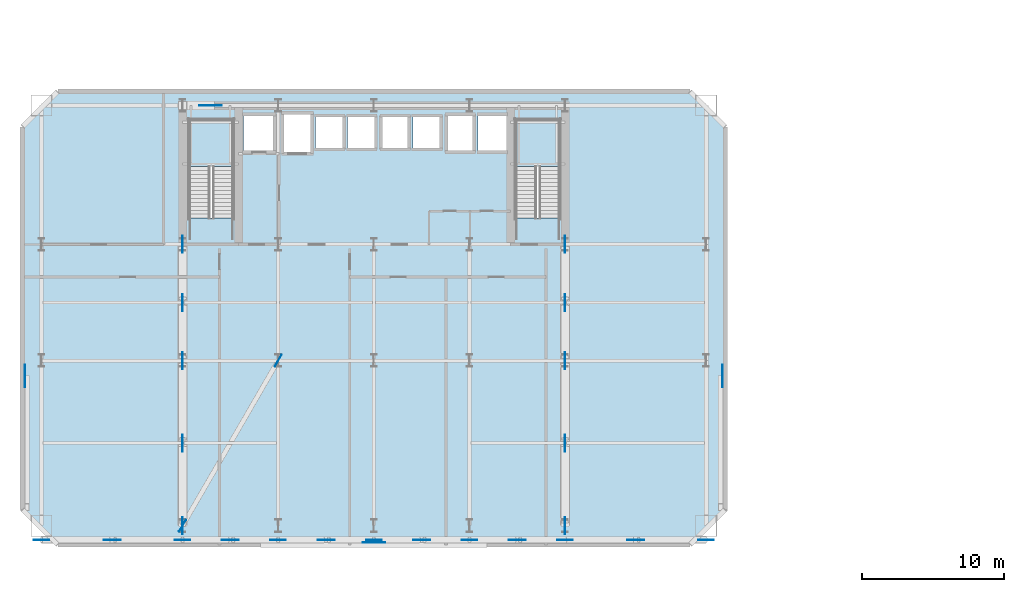
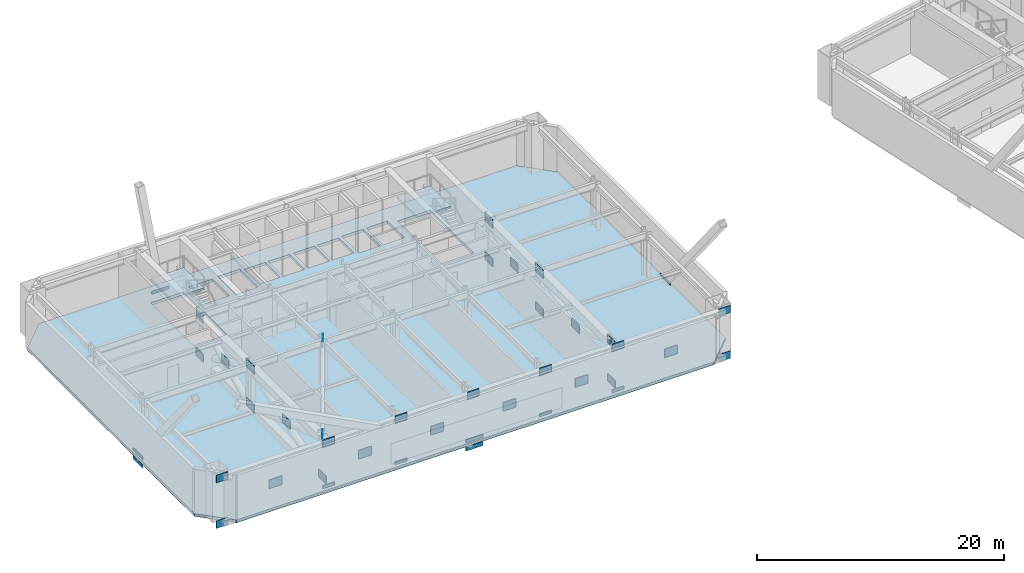
# One storey, part 6 of 17: 40 plates, 3 slabs, 2 elements without a shape of their own.
"""IFC4 building model written with IfcOpenShell, lengths in metres."""

from ifc_helpers import new_model, si_unit, direction, frame, origin, origin_2d, place, context, subcontext, project, spatial, polyline, rectangle, outline, extrude, material, layer, layer_set, type_object, element, aggregate, save


model = new_model("IFC4")

# Units and contexts
model_context = context("Model", 3, precision=1e-05, world=origin(), true_north=direction((0.0, 1.0)))
body_context = subcontext(model_context, "Body", "Model", "MODEL_VIEW")
ifc_project = project(units=[si_unit("LENGTHUNIT", "METRE"), si_unit("AREAUNIT", "SQUARE_METRE"), si_unit("VOLUMEUNIT", "CUBIC_METRE"), si_unit("PLANEANGLEUNIT", "RADIAN"), si_unit("MASSUNIT", "GRAM", prefix="KILO")], contexts=[model_context])

# Site, building, storey
site_placement = place(None, origin())
site = spatial("IfcSite", under=ifc_project, at=site_placement, CompositionType="ELEMENT")
building_placement = place(site_placement, origin())
building = spatial("IfcBuilding", under=site, at=building_placement, Name="Haevon Station Towers", CompositionType="ELEMENT")
storey_placement = place(building_placement, frame((0.0, 0.0, 81.89990234375)))
storey = spatial("IfcBuildingStorey", under=building, at=storey_placement, Name="L21", CompositionType="ELEMENT", Elevation=81.89990234375)

# Plates
ifc_material_1 = material(Name="PL-FLG2", Category="steel")
ifc_layer_1 = layer(ifc_material_1, 0.035888671875)
ifc_layer_set_1 = layer_set([ifc_layer_1], Name="PL-FLG2")
plate_type_1 = type_object("IfcPlateType", Name="PL-FLG2", PredefinedType="USERDEFINED", material=ifc_layer_set_1)
for number, where, z_axis, x_axis, name in (
    (1, (24.0, 18.35009765625, 4.0400390625), (0.0, 0.0, 1.0), (0.501329529272, 0.865256437757, 0.0), "PL-T1TIE-L21-E1"),
    (2, (30.75, 30.0, 4.0400390625), (0.0, 0.0, 1.0), (0.501329529272, 0.865256437757, 0.0), "PL-T1TIE-L21-E2"),
):
    element("IfcPlate", number, at=place(storey_placement, frame(where, z_axis=z_axis, x_axis=x_axis)), inside=storey, type_object=plate_type_1, Name=name, ObjectType="FLANGE_PLATE", PredefinedType="USERDEFINED", context=body_context, shape_type="SweptSolid", body=[
        extrude(rectangle(XDim=0.949951171875, YDim=0.035888671875, at=origin_2d()), origin(), (0.0, 0.0, 1.0), 0.699951171875),
    ])
ifc_material_2 = material(Name="PL-GUS1", Category="steel")
ifc_layer_2 = layer(ifc_material_2, 0.035888671875)
ifc_layer_set_2 = layer_set([ifc_layer_2], Name="PL-GUS1")
plate_type_2 = type_object("IfcPlateType", Name="PL-GUS1", PredefinedType="USERDEFINED", material=ifc_layer_set_2)
for number, where, z_axis, x_axis, name in (
    (3, (37.5, 17.179931640625, -0.8349609375), (0.0, 0.0, 1.0), (1.0, 0.0, 0.0), "PL-T1GUS-T02-S"),
    (4, (25.97509765625, 48.0, -0.8349609375), (0.0, 0.0, 1.0), (1.0, 0.0, 0.0), "PL-T1GUS-T02-N"),
    (5, (12.8798828125, 28.925048828125, -0.8349609375), (0.0, 0.0, 1.0), (0.0, 1.0, 0.0), "PL-T1GUS-T02-W"),
    (6, (62.1201171875, 28.925048828125, -0.8349609375), (0.0, 0.0, 1.0), (0.0, 1.0, 0.0), "PL-T1GUS-T02-E"),
):
    element("IfcPlate", number, at=place(storey_placement, frame(where, z_axis=z_axis, x_axis=x_axis)), inside=storey, type_object=plate_type_2, Name=name, ObjectType="GUSSET_PLATE", PredefinedType="USERDEFINED", context=body_context, shape_type="SweptSolid", body=[
        extrude(rectangle(XDim=1.60009765625, YDim=0.035888671875, at=origin_2d()), origin(), (0.0, 0.0, 1.0), 1.10009765625),
    ])
ifc_material_3 = material(Name="PL-GUS2", Category="steel")
ifc_layer_3 = layer(ifc_material_3, 0.031982421875)
ifc_layer_set_3 = layer_set([ifc_layer_3], Name="PL-GUS2")
plate_type_3 = type_object("IfcPlateType", Name="PL-GUS2", PredefinedType="USERDEFINED", material=ifc_layer_set_3)
for number, where, z_axis, x_axis, name in (
    (7, (24.0, 24.175048828125, 1.85009765625), (0.0, 0.0, 1.0), (0.0, 1.0, 0.0), "PL-T1OUTX-L21-1-1"),
    (8, (24.0, 34.10009765625, 1.85009765625), (0.0, 0.0, 1.0), (0.0, 1.0, 0.0), "PL-T1OUTX-L21-1-2"),
    (9, (24.0, 18.35009765625, -0.074951171875), (0.0, 0.0, 1.0), (0.0, 1.0, 0.0), "PL-T1OUTGUS-L21-1-1B"),
    (10, (24.0, 30.0, -0.074951171875), (0.0, 0.0, 1.0), (0.0, 1.0, 0.0), "PL-T1OUTGUS-L21-1-2B"),
    (11, (24.0, 30.0, 3.775146484375), (0.0, 0.0, 1.0), (0.0, 1.0, 0.0), "PL-T1OUTGUS-L21-1-2T"),
    (12, (24.0, 38.199951171875, -0.074951171875), (0.0, 0.0, 1.0), (0.0, 1.0, 0.0), "PL-T1OUTGUS-L21-1-3B"),
    (13, (24.0, 38.199951171875, 3.775146484375), (0.0, 0.0, 1.0), (0.0, 1.0, 0.0), "PL-T1OUTGUS-L21-1-3T"),
    (14, (51.0, 24.175048828125, 1.85009765625), (0.0, 0.0, 1.0), (0.0, 1.0, 0.0), "PL-T1OUTX-L21-2-1"),
    (15, (51.0, 34.10009765625, 1.85009765625), (0.0, 0.0, 1.0), (0.0, 1.0, 0.0), "PL-T1OUTX-L21-2-2"),
    (16, (51.0, 18.35009765625, -0.074951171875), (0.0, 0.0, 1.0), (0.0, 1.0, 0.0), "PL-T1OUTGUS-L21-2-1B"),
    (17, (51.0, 18.35009765625, 3.775146484375), (0.0, 0.0, 1.0), (0.0, 1.0, 0.0), "PL-T1OUTGUS-L21-2-1T"),
    (18, (51.0, 30.0, -0.074951171875), (0.0, 0.0, 1.0), (0.0, 1.0, 0.0), "PL-T1OUTGUS-L21-2-2B"),
    (19, (51.0, 30.0, 3.775146484375), (0.0, 0.0, 1.0), (0.0, 1.0, 0.0), "PL-T1OUTGUS-L21-2-2T"),
    (20, (51.0, 38.199951171875, -0.074951171875), (0.0, 0.0, 1.0), (0.0, 1.0, 0.0), "PL-T1OUTGUS-L21-2-3B"),
    (21, (51.0, 38.199951171875, 3.775146484375), (0.0, 0.0, 1.0), (0.0, 1.0, 0.0), "PL-T1OUTGUS-L21-2-3T"),
    (22, (19.02490234375, 17.35009765625, 1.75), (0.0, 0.0, 1.0), (1.0, 0.0, 0.0), "PL-T1BLTX-L21-1"),
    (23, (27.375, 17.35009765625, 1.75), (0.0, 0.0, 1.0), (1.0, 0.0, 0.0), "PL-T1BLTX-L21-2"),
    (24, (34.125, 17.35009765625, 1.75), (0.0, 0.0, 1.0), (1.0, 0.0, 0.0), "PL-T1BLTX-L21-3"),
    (25, (40.875, 17.35009765625, 1.75), (0.0, 0.0, 1.0), (1.0, 0.0, 0.0), "PL-T1BLTX-L21-4"),
    (26, (47.625, 17.35009765625, 1.75), (0.0, 0.0, 1.0), (1.0, 0.0, 0.0), "PL-T1BLTX-L21-5"),
    (27, (55.97509765625, 17.35009765625, 1.75), (0.0, 0.0, 1.0), (1.0, 0.0, 0.0), "PL-T1BLTX-L21-6"),
):
    element("IfcPlate", number, at=place(storey_placement, frame(where, z_axis=z_axis, x_axis=x_axis)), inside=storey, type_object=plate_type_3, Name=name, ObjectType="GUSSET_PLATE", PredefinedType="USERDEFINED", context=body_context, shape_type="SweptSolid", body=[
        extrude(rectangle(XDim=1.199951171875, YDim=0.031982421875, at=origin_2d()), origin(), (0.0, 0.0, 1.0), 0.85009765625),
    ])
ifc_material_4 = material(Name="PL-SPL1", Category="steel")
ifc_layer_4 = layer(ifc_material_4, 0.031982421875)
ifc_layer_set_4 = layer_set([ifc_layer_4], Name="PL-SPL1")
plate_type_4 = type_object("IfcPlateType", Name="PL-SPL1", PredefinedType="USERDEFINED", material=ifc_layer_set_4)
for number, where, z_axis, x_axis, name in (
    (28, (14.050048828125, 17.35009765625, -0.454833984375), (0.0, 0.0, 1.0), (1.0, 0.0, 0.0), "PL-T1BLTN-L21-1B"),
    (29, (14.050048828125, 17.35009765625, 4.05517578125), (0.0, 0.0, 1.0), (1.0, 0.0, 0.0), "PL-T1BLTN-L21-1T"),
    (30, (24.0, 17.35009765625, -0.454833984375), (0.0, 0.0, 1.0), (1.0, 0.0, 0.0), "PL-T1BLTN-L21-2B"),
    (31, (24.0, 17.35009765625, 4.05517578125), (0.0, 0.0, 1.0), (1.0, 0.0, 0.0), "PL-T1BLTN-L21-2T"),
    (32, (30.75, 17.35009765625, -0.454833984375), (0.0, 0.0, 1.0), (1.0, 0.0, 0.0), "PL-T1BLTN-L21-3B"),
    (33, (30.75, 17.35009765625, 4.05517578125), (0.0, 0.0, 1.0), (1.0, 0.0, 0.0), "PL-T1BLTN-L21-3T"),
    (34, (37.5, 17.35009765625, 4.05517578125), (0.0, 0.0, 1.0), (1.0, 0.0, 0.0), "PL-T1BLTN-L21-4T"),
    (35, (44.25, 17.35009765625, -0.454833984375), (0.0, 0.0, 1.0), (1.0, 0.0, 0.0), "PL-T1BLTN-L21-5B"),
    (36, (44.25, 17.35009765625, 4.05517578125), (0.0, 0.0, 1.0), (1.0, 0.0, 0.0), "PL-T1BLTN-L21-5T"),
    (37, (51.0, 17.35009765625, -0.454833984375), (0.0, 0.0, 1.0), (1.0, 0.0, 0.0), "PL-T1BLTN-L21-6B"),
    (38, (51.0, 17.35009765625, 4.05517578125), (0.0, 0.0, 1.0), (1.0, 0.0, 0.0), "PL-T1BLTN-L21-6T"),
    (39, (60.949951171875, 17.35009765625, -0.454833984375), (0.0, 0.0, 1.0), (1.0, 0.0, 0.0), "PL-T1BLTN-L21-7B"),
    (40, (60.949951171875, 17.35009765625, 4.05517578125), (0.0, 0.0, 1.0), (1.0, 0.0, 0.0), "PL-T1BLTN-L21-7T"),
):
    element("IfcPlate", number, at=place(storey_placement, frame(where, z_axis=z_axis, x_axis=x_axis)), inside=storey, type_object=plate_type_4, Name=name, ObjectType="SPLICE_PLATE", PredefinedType="USERDEFINED", context=body_context, shape_type="SweptSolid", body=[
        extrude(rectangle(XDim=1.10009765625, YDim=0.031982421875, at=origin_2d()), origin(), (0.0, 0.0, 1.0), 0.75),
    ])

# Stair, slab
ifc_material_5 = material(Name="Concrete C40/50", Category="concrete")
stair_type = type_object("IfcStairType", Name="STR-DL1450", PredefinedType="USERDEFINED", material=ifc_material_5)
stair_1_placement = place(storey_placement, origin())
stair_1 = element("IfcStair", 41, at=stair_1_placement, inside=storey, type_object=stair_type, Name="L21 Escape Stair ST1", ObjectType="TWO_RETURN_STAIR", PredefinedType="USERDEFINED")
ifc_layer_5 = layer(ifc_material_5, 0.199951171875)
ifc_layer_set_5 = layer_set([ifc_layer_5], Name="Concrete C40/50")
slab_type_1 = type_object("IfcSlabType", Name="SL-LND200", PredefinedType="LANDING", material=ifc_layer_set_5)
slab_1_placement = place(storey_placement, frame((0.0, 0.0, 2.2001953125)))
slab_1 = element("IfcSlab", 42, at=slab_1_placement, type_object=slab_type_1, Name="L21 ST1 Half Landing 1", PredefinedType="LANDING", context=body_context, shape_type="SweptSolid", body=[
    extrude(outline(polyline([(27.580078125, 43.68408203125), (27.580078125, 47.0), (24.47998046875, 47.0), (24.47998046875, 43.68408203125), (27.580078125, 43.68408203125)])), origin(), (0.0, 0.0, 1.0), 0.199951171875),
])
aggregate(stair_1, [slab_1])

stair_2_placement = place(storey_placement, origin())
stair_2 = element("IfcStair", 43, at=stair_2_placement, inside=storey, type_object=stair_type, Name="L21 Escape Stair ST2", ObjectType="TWO_RETURN_STAIR", PredefinedType="USERDEFINED")
slab_2_placement = place(storey_placement, frame((0.0, 0.0, 2.2001953125)))
slab_2 = element("IfcSlab", 44, at=slab_2_placement, type_object=slab_type_1, Name="L21 ST2 Half Landing 1", PredefinedType="LANDING", context=body_context, shape_type="SweptSolid", body=[
    extrude(outline(polyline([(50.6201171875, 43.68408203125), (50.6201171875, 47.0), (47.52001953125, 47.0), (47.52001953125, 43.68408203125), (50.6201171875, 43.68408203125)])), origin(), (0.0, 0.0, 1.0), 0.199951171875),
])
aggregate(stair_2, [slab_2])

# Slab
ifc_layer_6 = layer(ifc_material_5, 0.280029296875)
ifc_layer_set_6 = layer_set([ifc_layer_6], Name="Concrete C40/50")
slab_type_2 = type_object("IfcSlabType", Name="SL-REF280", PredefinedType="FLOOR", material=ifc_layer_set_6)
slab_3_placement = place(storey_placement, frame((0.0, 0.0, -0.27978515625)))
element("IfcSlab", 45, at=slab_3_placement, inside=storey, type_object=slab_type_2, Name="SL-T1-L21", PredefinedType="FLOOR", context=body_context, shape_type="SweptSolid", body=[
    extrude(outline(polyline([(15.199951171875, 17.0), (59.800048828125, 17.0), (62.300048828125, 19.5), (62.300048828125, 46.5), (59.800048828125, 49.0), (15.199951171875, 49.0), (12.699951171875, 46.5), (12.699951171875, 19.5), (15.199951171875, 17.0)]), holes=[polyline([(27.580078125, 40.055908203125), (27.580078125, 47.0), (24.47998046875, 47.0), (24.47998046875, 40.055908203125), (27.580078125, 40.055908203125)]), polyline([(50.6201171875, 40.055908203125), (50.6201171875, 47.0), (47.52001953125, 47.0), (47.52001953125, 40.055908203125), (50.6201171875, 40.055908203125)]), polyline([(28.300048828125, 44.699951171875), (30.5, 44.699951171875), (30.5, 47.39990234375), (28.300048828125, 47.39990234375), (28.300048828125, 44.699951171875)]), polyline([(31.050048828125, 44.60009765625), (33.14990234375, 44.60009765625), (33.14990234375, 47.5), (31.050048828125, 47.5), (31.050048828125, 44.60009765625)]), polyline([(33.39990234375, 44.89990234375), (35.39990234375, 44.89990234375), (35.39990234375, 47.300048828125), (33.39990234375, 47.300048828125), (33.39990234375, 44.89990234375)]), polyline([(35.64990234375, 44.89990234375), (37.64990234375, 44.89990234375), (37.64990234375, 47.300048828125), (35.64990234375, 47.300048828125), (35.64990234375, 44.89990234375)]), polyline([(38.0, 44.89990234375), (40.0, 44.89990234375), (40.0, 47.300048828125), (38.0, 47.300048828125), (38.0, 44.89990234375)]), polyline([(40.25, 44.89990234375), (42.25, 44.89990234375), (42.25, 47.300048828125), (40.25, 47.300048828125), (40.25, 44.89990234375)]), polyline([(42.60009765625, 44.699951171875), (44.60009765625, 44.699951171875), (44.60009765625, 47.39990234375), (42.60009765625, 47.39990234375), (42.60009765625, 44.699951171875)]), polyline([(44.85009765625, 44.699951171875), (46.85009765625, 44.699951171875), (46.85009765625, 47.39990234375), (44.85009765625, 47.39990234375), (44.85009765625, 44.699951171875)])]), origin(), (0.0, 0.0, 1.0), 0.27978515625),
])

save(model, "model.ifc")
